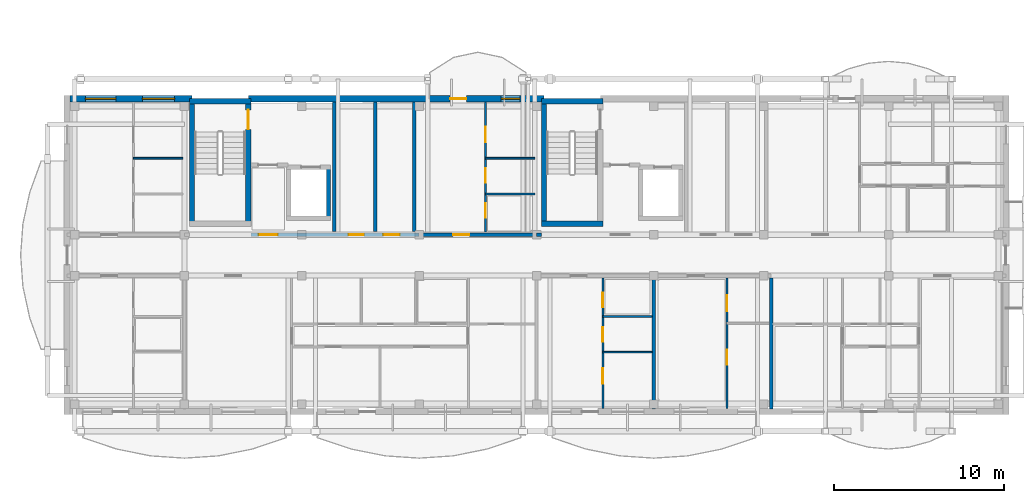
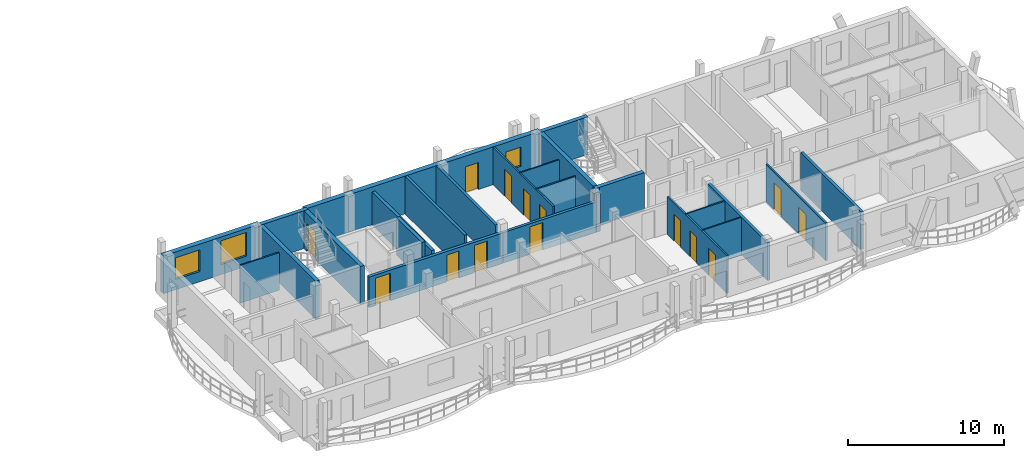
# One storey, part 16 of 42: 25 walls, 14 doors, 3 windows, 17 openings.
"""IFC4 building model written with IfcOpenShell, lengths in metres."""

from ifc_helpers import new_model, si_unit, direction, frame, frame_2d, origin, origin_with_axes, place, context, subcontext, project, spatial, rectangle, extrude, material, layer, layer_set, type_object, element, fill, save


model = new_model("IFC4")

# Units and contexts
model_context = context("Model", 3, precision=1e-05, world=origin(), true_north=direction((0.0, 1.0)))
body_context = subcontext(model_context, "Body", "Model", "MODEL_VIEW")
ifc_project = project(units=[si_unit("LENGTHUNIT", "METRE"), si_unit("AREAUNIT", "SQUARE_METRE"), si_unit("VOLUMEUNIT", "CUBIC_METRE"), si_unit("PLANEANGLEUNIT", "RADIAN"), si_unit("MASSUNIT", "GRAM", prefix="KILO")], contexts=[model_context])

# Site, building, storey
site_placement = place(None, origin())
site = spatial("IfcSite", under=ifc_project, at=site_placement, CompositionType="ELEMENT")
building_placement = place(site_placement, origin())
building = spatial("IfcBuilding", under=site, at=building_placement, Name="Zavelmont Quarter", CompositionType="ELEMENT")
storey_placement = place(building_placement, frame((0.0, 0.0, 24.0)))
storey = spatial("IfcBuildingStorey", under=building, at=storey_placement, Name="L07", CompositionType="ELEMENT", Elevation=24.0)

# Wall, openings, windows
ifc_material_1 = material(Name="Natural Belgian limestone", Category="masonry")
ifc_layer_1 = layer(ifc_material_1, 0.360107421875)
ifc_layer_set_1 = layer_set([ifc_layer_1], Name="Natural Belgian limestone")
wall_type_1 = type_object("IfcWallType", Name="EW02", PredefinedType="STANDARD", material=ifc_layer_set_1)
wall_1_placement = place(storey_placement, frame((0.169921875, 18.39990234375, 0.0), z_axis=(0.0, 0.0, 1.0), x_axis=(1.0, 0.0, 0.0)))
wall_1 = element("IfcWall", 1, at=wall_1_placement, inside=storey, type_object=wall_type_1, Name="L07 exterior limestone wall EW02", PredefinedType="STANDARD", context=body_context, shape_type="SweptSolid", body=[
    extrude(rectangle(XDim=7.18017578125, YDim=0.360107421875, at=frame_2d((3.590087890625, 0.0))), origin(), (0.0, 0.0, 1.0), 2.949951171875),
])
opening_1_placement = place(wall_1_placement, frame((0.89990234375, 0.0, 0.800048828125)))
opening_1 = element("IfcOpeningElement", 2, at=opening_1_placement, cuts=wall_1, Name="Opening WN02", PredefinedType="OPENING", context=body_context, shape_type="SweptSolid", body=[
    extrude(rectangle(XDim=1.800048828125, YDim=1.699951171875, at=frame_2d((0.89990234375, 0.85009765625))), frame((0.0, 0.19189453125, 0.0), z_axis=(0.0, -1.0, 0.0), x_axis=(1.0, 0.0, 0.0)), (0.0, 0.0, 1.0), 0.384033203125),
])
opening_2_placement = place(wall_1_placement, frame((4.25, 0.0, 0.800048828125)))
opening_2 = element("IfcOpeningElement", 3, at=opening_2_placement, cuts=wall_1, Name="Opening WN20", PredefinedType="OPENING", context=body_context, shape_type="SweptSolid", body=[
    extrude(rectangle(XDim=1.89990234375, YDim=1.85009765625, at=frame_2d((0.949951171875, 0.925048828125))), frame((0.0, 0.19189453125, 0.0), z_axis=(0.0, -1.0, 0.0), x_axis=(1.0, 0.0, 0.0)), (0.0, 0.0, 1.0), 0.384033203125),
])
ifc_material_2 = material(Name="Double low-E insulated glazing in thermally broken aluminium frame", Category="aluminium")
window_type_1 = type_object("IfcWindowType", Name="WN02", PartitioningType="SINGLE_PANEL", PredefinedType="WINDOW", material=ifc_material_2)
window_1_placement = place(opening_1_placement, origin_with_axes())
window_1 = element("IfcWindow", 4, at=window_1_placement, inside=storey, type_object=window_type_1, Name="L07 window WN02", OverallHeight=1.699951171875, OverallWidth=1.800048828125, PartitioningType="SINGLE_PANEL", PredefinedType="WINDOW", context=body_context, shape_type="SweptSolid", body=[
    extrude(rectangle(XDim=1.800048828125, YDim=1.699951171875, at=frame_2d((0.89990234375, 0.85009765625))), frame((0.0, 0.030029296875, 0.0), z_axis=(0.0, -1.0, 0.0), x_axis=(1.0, 0.0, 0.0)), (0.0, 0.0, 1.0), 0.06005859375),
])
fill(opening_1, window_1)
window_type_2 = type_object("IfcWindowType", Name="WN20", PartitioningType="SINGLE_PANEL", PredefinedType="WINDOW", material=ifc_material_2)
window_2_placement = place(opening_2_placement, origin_with_axes())
window_2 = element("IfcWindow", 5, at=window_2_placement, inside=storey, type_object=window_type_2, Name="L07 window WN20", OverallHeight=1.85009765625, OverallWidth=1.89990234375, PartitioningType="SINGLE_PANEL", PredefinedType="WINDOW", context=body_context, shape_type="SweptSolid", body=[
    extrude(rectangle(XDim=1.89990234375, YDim=1.85009765625, at=frame_2d((0.949951171875, 0.925048828125))), frame((0.0, 0.030029296875, 0.0), z_axis=(0.0, -1.0, 0.0), x_axis=(1.0, 0.0, 0.0)), (0.0, 0.0, 1.0), 0.06005859375),
])
fill(opening_2, window_2)

# Wall, openings, door, window
wall_2_placement = place(storey_placement, frame((10.64990234375, 18.39990234375, 0.0), z_axis=(0.0, 0.0, 1.0), x_axis=(1.0, 0.0, 0.0)))
wall_2 = element("IfcWall", 6, at=wall_2_placement, inside=storey, type_object=wall_type_1, Name="L07 exterior limestone wall EW02", PredefinedType="STANDARD", context=body_context, shape_type="SweptSolid", body=[
    extrude(rectangle(XDim=17.400146484375, YDim=0.360107421875, at=frame_2d((8.7001953125, 0.0))), origin(), (0.0, 0.0, 1.0), 2.949951171875),
])
opening_3_placement = place(wall_2_placement, frame((11.8701171875, 0.0, 0.0)))
opening_3 = element("IfcOpeningElement", 7, at=opening_3_placement, cuts=wall_2, Name="Opening DR04", PredefinedType="OPENING", context=body_context, shape_type="SweptSolid", body=[
    extrude(rectangle(XDim=0.949951171875, YDim=2.10009765625, at=frame_2d((0.47509765625, 1.050048828125))), frame((0.0, 0.19189453125, 0.0), z_axis=(0.0, -1.0, 0.0), x_axis=(1.0, 0.0, 0.0)), (0.0, 0.0, 1.0), 0.384033203125),
])
opening_4_placement = place(wall_2_placement, frame((14.8701171875, 0.0, 0.719970703125)))
opening_4 = element("IfcOpeningElement", 8, at=opening_4_placement, cuts=wall_2, Name="Opening WN09", PredefinedType="OPENING", context=body_context, shape_type="SweptSolid", body=[
    extrude(rectangle(XDim=1.10009765625, YDim=1.5, at=frame_2d((0.550048828125, 0.75))), frame((0.0, 0.19189453125, 0.0), z_axis=(0.0, -1.0, 0.0), x_axis=(1.0, 0.0, 0.0)), (0.0, 0.0, 1.0), 0.384033203125),
])
ifc_material_3 = material(Name="Thermally broken aluminium and double safety glass", Category="aluminium")
door_type_1 = type_object("IfcDoorType", Name="DR04", OperationType="NOTDEFINED", PredefinedType="DOOR", material=ifc_material_3)
door_1_placement = place(opening_3_placement, frame((0.949951171875, 0.0, 0.0), z_axis=(0.0, 0.0, 1.0), x_axis=(-1.0, 0.0, 0.0)))
door_1 = element("IfcDoor", 9, at=door_1_placement, inside=storey, type_object=door_type_1, Name="Block A L07 glazed balcony door", OperationType="SINGLE_SWING_LEFT", OverallHeight=2.10009765625, OverallWidth=0.949951171875, PredefinedType="DOOR", context=body_context, shape_type="SweptSolid", body=[
    extrude(rectangle(XDim=0.949951171875, YDim=2.10009765625, at=frame_2d((0.47509765625, 1.050048828125))), frame((0.0, 0.02490234375, 0.0), z_axis=(0.0, -1.0, 0.0), x_axis=(1.0, 0.0, 0.0)), (0.0, 0.0, 1.0), 0.050048828125),
])
fill(opening_3, door_1)
window_type_3 = type_object("IfcWindowType", Name="WN09", PartitioningType="SINGLE_PANEL", PredefinedType="WINDOW", material=ifc_material_2)
window_3_placement = place(opening_4_placement, origin_with_axes())
window_3 = element("IfcWindow", 10, at=window_3_placement, inside=storey, type_object=window_type_3, Name="L07 window WN09", OverallHeight=1.5, OverallWidth=1.10009765625, PartitioningType="SINGLE_PANEL", PredefinedType="WINDOW", context=body_context, shape_type="SweptSolid", body=[
    extrude(rectangle(XDim=1.10009765625, YDim=1.5, at=frame_2d((0.550048828125, 0.75))), frame((0.0, 0.030029296875, 0.0), z_axis=(0.0, -1.0, 0.0), x_axis=(1.0, 0.0, 0.0)), (0.0, 0.0, 1.0), 0.06005859375),
])
fill(opening_4, window_3)

# Walls
ifc_material_4 = material(Name="Calcium-silicate blockwork and acoustic plaster", Category="masonry")
ifc_layer_2 = layer(ifc_material_4, 0.199951171875)
ifc_layer_set_2 = layer_set([ifc_layer_2], Name="Calcium-silicate blockwork and acoustic plaster")
wall_type_2 = type_object("IfcWallType", Name="IW01", PredefinedType="PARTITIONING", material=ifc_layer_set_2)
for number, where, z_axis, x_axis, name in (
    (11, (18.125, 10.60009765625, 0.0), (0.0, 0.0, 1.0), (0.0, 1.0, 0.0), "L07 Service riser divider wall IW01"),
    (12, (20.419921875, 10.60009765625, 0.0), (0.0, 0.0, 1.0), (0.0, 1.0, 0.0), "L07 Core service end wall IW01"),
):
    element("IfcWall", number, at=place(storey_placement, frame(where, z_axis=z_axis, x_axis=x_axis)), inside=storey, type_object=wall_type_2, Name=name, PredefinedType="PARTITIONING", context=body_context, shape_type="SweptSolid", body=[
        extrude(rectangle(XDim=7.599853515625, YDim=0.199951171875, at=frame_2d((3.7998046875, 0.0))), origin(), (0.0, 0.0, 1.0), 2.949951171875),
    ])
for number, where, z_axis, x_axis, name in (
    (13, (34.5, 7.85009765625, 0.0), (0.0, 0.0, 1.0), (0.0, -1.0, 0.0), "L07 Inter-dwelling compartment wall IW01"),
    (14, (41.39990234375, 7.85009765625, 0.0), (0.0, 0.0, 1.0), (0.0, -1.0, 0.0), "L07 Inter-dwelling compartment wall IW01"),
):
    element("IfcWall", number, at=place(storey_placement, frame(where, z_axis=z_axis, x_axis=x_axis)), inside=storey, type_object=wall_type_2, Name=name, PredefinedType="PARTITIONING", context=body_context, shape_type="SweptSolid", body=[
        extrude(rectangle(XDim=7.7001953125, YDim=0.199951171875, at=frame_2d((3.85009765625, 0.0))), origin(), (0.0, 0.0, 1.0), 2.949951171875),
    ])

# Wall, opening, door
wall_3_placement = place(storey_placement, frame((20.699951171875, 10.39990234375, 0.0), z_axis=(0.0, 0.0, 1.0), x_axis=(1.0, 0.0, 0.0)))
wall_3 = element("IfcWall", 15, at=wall_3_placement, inside=storey, type_object=wall_type_2, Name="L07 Corridor compartment wall IW01", PredefinedType="PARTITIONING", context=body_context, shape_type="SweptSolid", body=[
    extrude(rectangle(XDim=6.900146484375, YDim=0.199951171875, at=frame_2d((3.4501953125, 0.0))), origin(), (0.0, 0.0, 1.0), 2.389892578125),
])
opening_5_placement = place(wall_3_placement, frame((2.0, 0.0, 0.0)))
opening_5 = element("IfcOpeningElement", 16, at=opening_5_placement, cuts=wall_3, Name="Opening DR02", PredefinedType="OPENING", context=body_context, shape_type="SweptSolid", body=[
    extrude(rectangle(XDim=0.949951171875, YDim=2.14990234375, at=frame_2d((0.47509765625, 1.074951171875))), frame((0.0, 0.11181640625, 0.0), z_axis=(0.0, -1.0, 0.0), x_axis=(1.0, 0.0, 0.0)), (0.0, 0.0, 1.0), 0.223876953125),
])
ifc_material_5 = material(Name="Solid-core oak fire leaf in steel frame", Category="steel")
door_type_2 = type_object("IfcDoorType", Name="DR02", OperationType="NOTDEFINED", PredefinedType="DOOR", material=ifc_material_5)
door_2_placement = place(opening_5_placement, origin_with_axes())
door_2 = element("IfcDoor", 17, at=door_2_placement, inside=storey, type_object=door_type_2, Name="L07 door DR02", OperationType="SINGLE_SWING_RIGHT", OverallHeight=2.14990234375, OverallWidth=0.949951171875, PredefinedType="DOOR", context=body_context, shape_type="SweptSolid", body=[
    extrude(rectangle(XDim=0.949951171875, YDim=2.14990234375, at=frame_2d((0.47509765625, 1.074951171875))), frame((0.0, 0.02490234375, 0.0), z_axis=(0.0, -1.0, 0.0), x_axis=(1.0, 0.0, 0.0)), (0.0, 0.0, 1.0), 0.050048828125),
])
fill(opening_5, door_2)

# Wall
ifc_material_6 = material(Name="Reinforced masonry fire compartment wall", Category="masonry")
ifc_layer_3 = layer(ifc_material_6, 0.22509765625)
ifc_layer_set_3 = layer_set([ifc_layer_3], Name="Reinforced masonry fire compartment wall")
wall_type_3 = type_object("IfcWallType", Name="IW02", PredefinedType="PARTITIONING", material=ifc_layer_set_3)
wall_4_placement = place(storey_placement, frame((15.7099609375, 10.60009765625, 0.0), z_axis=(0.0, 0.0, 1.0), x_axis=(0.0, 1.0, 0.0)))
element("IfcWall", 18, at=wall_4_placement, inside=storey, type_object=wall_type_3, Name="L07 Firefighting lobby enclosure wall IW02", PredefinedType="PARTITIONING", context=body_context, shape_type="SweptSolid", body=[
    extrude(rectangle(XDim=7.599853515625, YDim=0.22509765625, at=frame_2d((3.7998046875, 0.0))), origin(), (0.0, 0.0, 1.0), 2.590087890625),
])

# Wall, openings, doors
wall_5_placement = place(storey_placement, frame((10.800048828125, 10.39990234375, 0.0), z_axis=(0.0, 0.0, 1.0), x_axis=(1.0, 0.0, 0.0)))
wall_5 = element("IfcWall", 19, at=wall_5_placement, inside=storey, type_object=wall_type_3, Name="L07 Core corridor fire wall IW02", PredefinedType="PARTITIONING", context=body_context, shape_type="SweptSolid", body=[
    extrude(rectangle(XDim=9.89990234375, YDim=0.22509765625, at=frame_2d((4.949951171875, 0.0))), origin(), (0.0, 0.0, 1.0), 2.389892578125),
])
opening_6_placement = place(wall_5_placement, frame((0.47509765625, 0.0, 0.0)))
opening_6 = element("IfcOpeningElement", 20, at=opening_6_placement, cuts=wall_5, Name="Opening DR10", PredefinedType="OPENING", context=body_context, shape_type="SweptSolid", body=[
    extrude(rectangle(XDim=1.10009765625, YDim=2.14990234375, at=frame_2d((0.550048828125, 1.074951171875))), frame((0.0, 0.12451171875, 0.0), z_axis=(0.0, -1.0, 0.0), x_axis=(1.0, 0.0, 0.0)), (0.0, 0.0, 1.0), 0.2490234375),
])
opening_7_placement = place(wall_5_placement, frame((5.75, 0.0, 0.0)))
opening_7 = element("IfcOpeningElement", 21, at=opening_7_placement, cuts=wall_5, Name="Opening DR11", PredefinedType="OPENING", context=body_context, shape_type="SweptSolid", body=[
    extrude(rectangle(XDim=0.89990234375, YDim=2.10009765625, at=frame_2d((0.449951171875, 1.050048828125))), frame((0.0, 0.12451171875, 0.0), z_axis=(0.0, -1.0, 0.0), x_axis=(1.0, 0.0, 0.0)), (0.0, 0.0, 1.0), 0.2490234375),
])
opening_8_placement = place(wall_5_placement, frame((7.800048828125, 0.0, 0.0)))
opening_8 = element("IfcOpeningElement", 22, at=opening_8_placement, cuts=wall_5, Name="Opening DR02", PredefinedType="OPENING", context=body_context, shape_type="SweptSolid", body=[
    extrude(rectangle(XDim=0.949951171875, YDim=2.14990234375, at=frame_2d((0.47509765625, 1.074951171875))), frame((0.0, 0.12451171875, 0.0), z_axis=(0.0, -1.0, 0.0), x_axis=(1.0, 0.0, 0.0)), (0.0, 0.0, 1.0), 0.2490234375),
])
door_3_placement = place(opening_8_placement, frame((0.949951171875, 0.0, 0.0), z_axis=(0.0, 0.0, 1.0), x_axis=(-1.0, 0.0, 0.0)))
door_3 = element("IfcDoor", 23, at=door_3_placement, inside=storey, type_object=door_type_2, Name="Auxiliary store corridor door", OperationType="SINGLE_SWING_RIGHT", OverallHeight=2.14990234375, OverallWidth=0.949951171875, PredefinedType="DOOR", context=body_context, shape_type="SweptSolid", body=[
    extrude(rectangle(XDim=0.949951171875, YDim=2.14990234375, at=frame_2d((0.47509765625, 1.074951171875))), frame((0.0, 0.02490234375, 0.0), z_axis=(0.0, -1.0, 0.0), x_axis=(1.0, 0.0, 0.0)), (0.0, 0.0, 1.0), 0.050048828125),
])
fill(opening_8, door_3)
ifc_material_7 = material(Name="Painted steel lobby fire door", Category="steel")
door_type_3 = type_object("IfcDoorType", Name="DR10", OperationType="NOTDEFINED", PredefinedType="DOOR", material=ifc_material_7)
door_4_placement = place(opening_6_placement, origin_with_axes())
door_4 = element("IfcDoor", 24, at=door_4_placement, inside=storey, type_object=door_type_3, Name="Core vestibule fire door", OperationType="SINGLE_SWING_RIGHT", OverallHeight=2.14990234375, OverallWidth=1.10009765625, PredefinedType="DOOR", context=body_context, shape_type="SweptSolid", body=[
    extrude(rectangle(XDim=1.10009765625, YDim=2.14990234375, at=frame_2d((0.550048828125, 1.074951171875))), frame((0.0, 0.02490234375, 0.0), z_axis=(0.0, -1.0, 0.0), x_axis=(1.0, 0.0, 0.0)), (0.0, 0.0, 1.0), 0.050048828125),
])
fill(opening_6, door_4)
ifc_material_8 = material(Name="Painted steel service-riser fire door", Category="steel")
door_type_4 = type_object("IfcDoorType", Name="DR11", OperationType="NOTDEFINED", PredefinedType="DOOR", material=ifc_material_8)
door_5_placement = place(opening_7_placement, frame((0.89990234375, 0.0, 0.0), z_axis=(0.0, 0.0, 1.0), x_axis=(-1.0, 0.0, 0.0)))
door_5 = element("IfcDoor", 25, at=door_5_placement, inside=storey, type_object=door_type_4, Name="Service riser fire door", OperationType="SINGLE_SWING_LEFT", OverallHeight=2.10009765625, OverallWidth=0.89990234375, PredefinedType="DOOR", context=body_context, shape_type="SweptSolid", body=[
    extrude(rectangle(XDim=0.89990234375, YDim=2.10009765625, at=frame_2d((0.449951171875, 1.050048828125))), frame((0.0, 0.02490234375, 0.0), z_axis=(0.0, -1.0, 0.0), x_axis=(1.0, 0.0, 0.0)), (0.0, 0.0, 1.0), 0.050048828125),
])
fill(opening_7, door_5)

# Wall
wall_6_placement = place(storey_placement, frame((27.60009765625, 10.39990234375, 0.0), z_axis=(0.0, 0.0, 1.0), x_axis=(1.0, 0.0, 0.0)))
element("IfcWall", 26, at=wall_6_placement, inside=storey, type_object=wall_type_3, Name="L07 Core corridor wall IW02", PredefinedType="PARTITIONING", context=body_context, shape_type="SweptSolid", body=[
    extrude(rectangle(XDim=0.2998046875, YDim=0.22509765625, at=frame_2d((0.14990234375, 0.0))), origin(), (0.0, 0.0, 1.0), 2.949951171875),
])

# Wall, openings, doors
ifc_material_9 = material(Name="Double gypsum board on acoustic steel stud", Category="steel")
ifc_layer_4 = layer(ifc_material_9, 0.125)
ifc_layer_set_4 = layer_set([ifc_layer_4], Name="Double gypsum board on acoustic steel stud")
wall_type_4 = type_object("IfcWallType", Name="IW03", PredefinedType="PARTITIONING", material=ifc_layer_set_4)
wall_7_placement = place(storey_placement, frame((31.5, 7.85009765625, 0.0), z_axis=(0.0, 0.0, 1.0), x_axis=(0.0, -1.0, 0.0)))
wall_7 = element("IfcWall", 27, at=wall_7_placement, inside=storey, type_object=wall_type_4, Name="L07 Partition IW03", PredefinedType="PARTITIONING", context=body_context, shape_type="SweptSolid", body=[
    extrude(rectangle(XDim=7.650146484375, YDim=0.125, at=frame_2d((3.8251953125, 0.0))), origin(), (0.0, 0.0, 1.0), 2.949951171875),
])
opening_9_placement = place(wall_7_placement, frame((0.85009765625, 0.0, 0.0)))
opening_9 = element("IfcOpeningElement", 28, at=opening_9_placement, cuts=wall_7, Name="Opening DR16", PredefinedType="OPENING", context=body_context, shape_type="SweptSolid", body=[
    extrude(rectangle(XDim=0.85009765625, YDim=2.10009765625, at=frame_2d((0.425048828125, 1.050048828125))), frame((0.0, 0.074462890625, 0.0), z_axis=(0.0, -1.0, 0.0), x_axis=(1.0, 0.0, 0.0)), (0.0, 0.0, 1.0), 0.14892578125),
])
opening_10_placement = place(wall_7_placement, frame((2.89990234375, 0.0, 0.0)))
opening_10 = element("IfcOpeningElement", 29, at=opening_10_placement, cuts=wall_7, Name="Opening DR06", PredefinedType="OPENING", context=body_context, shape_type="SweptSolid", body=[
    extrude(rectangle(XDim=0.85009765625, YDim=2.050048828125, at=frame_2d((0.425048828125, 1.02490234375))), frame((0.0, 0.074462890625, 0.0), z_axis=(0.0, -1.0, 0.0), x_axis=(1.0, 0.0, 0.0)), (0.0, 0.0, 1.0), 0.14892578125),
])
opening_11_placement = place(wall_7_placement, frame((5.300048828125, 0.0, 0.0)))
opening_11 = element("IfcOpeningElement", 30, at=opening_11_placement, cuts=wall_7, Name="Opening DR05", PredefinedType="OPENING", context=body_context, shape_type="SweptSolid", body=[
    extrude(rectangle(XDim=0.89990234375, YDim=2.10009765625, at=frame_2d((0.449951171875, 1.050048828125))), frame((0.0, 0.074462890625, 0.0), z_axis=(0.0, -1.0, 0.0), x_axis=(1.0, 0.0, 0.0)), (0.0, 0.0, 1.0), 0.14892578125),
])
ifc_material_10 = material(Name="Engineered oak flush interior door")
door_type_5 = type_object("IfcDoorType", Name="DR05", OperationType="NOTDEFINED", PredefinedType="DOOR", material=ifc_material_10)
door_6_placement = place(opening_11_placement, frame((0.89990234375, 0.0, 0.0), z_axis=(0.0, 0.0, 1.0), x_axis=(-1.0, 0.0, 0.0)))
door_6 = element("IfcDoor", 31, at=door_6_placement, inside=storey, type_object=door_type_5, Name="L07 door DR05", OperationType="SINGLE_SWING_RIGHT", OverallHeight=2.10009765625, OverallWidth=0.89990234375, PredefinedType="DOOR", context=body_context, shape_type="SweptSolid", body=[
    extrude(rectangle(XDim=0.89990234375, YDim=2.10009765625, at=frame_2d((0.449951171875, 1.050048828125))), frame((0.0, 0.02490234375, 0.0), z_axis=(0.0, -1.0, 0.0), x_axis=(1.0, 0.0, 0.0)), (0.0, 0.0, 1.0), 0.050048828125),
])
fill(opening_11, door_6)
ifc_material_11 = material(Name="Moisture-resistant painted wet-room door")
door_type_6 = type_object("IfcDoorType", Name="DR06", OperationType="NOTDEFINED", PredefinedType="DOOR", material=ifc_material_11)
door_7_placement = place(opening_10_placement, origin_with_axes())
door_7 = element("IfcDoor", 32, at=door_7_placement, inside=storey, type_object=door_type_6, Name="L07 door DR06", OperationType="SINGLE_SWING_LEFT", OverallHeight=2.050048828125, OverallWidth=0.85009765625, PredefinedType="DOOR", context=body_context, shape_type="SweptSolid", body=[
    extrude(rectangle(XDim=0.85009765625, YDim=2.050048828125, at=frame_2d((0.425048828125, 1.02490234375))), frame((0.0, 0.02490234375, 0.0), z_axis=(0.0, -1.0, 0.0), x_axis=(1.0, 0.0, 0.0)), (0.0, 0.0, 1.0), 0.050048828125),
])
fill(opening_10, door_7)
door_type_7 = type_object("IfcDoorType", Name="DR16", OperationType="NOTDEFINED", PredefinedType="DOOR", material=ifc_material_10)
door_8_placement = place(opening_9_placement, frame((0.85009765625, 0.0, 0.0), z_axis=(0.0, 0.0, 1.0), x_axis=(-1.0, 0.0, 0.0)))
door_8 = element("IfcDoor", 33, at=door_8_placement, inside=storey, type_object=door_type_7, Name="L07 door DR16", OperationType="SINGLE_SWING_RIGHT", OverallHeight=2.10009765625, OverallWidth=0.85009765625, PredefinedType="DOOR", context=body_context, shape_type="SweptSolid", body=[
    extrude(rectangle(XDim=0.85009765625, YDim=2.10009765625, at=frame_2d((0.425048828125, 1.050048828125))), frame((0.0, 0.02490234375, 0.0), z_axis=(0.0, -1.0, 0.0), x_axis=(1.0, 0.0, 0.0)), (0.0, 0.0, 1.0), 0.050048828125),
])
fill(opening_9, door_8)

wall_8_placement = place(storey_placement, frame((38.800048828125, 7.85009765625, 0.0), z_axis=(0.0, 0.0, 1.0), x_axis=(0.0, -1.0, 0.0)))
wall_8 = element("IfcWall", 34, at=wall_8_placement, inside=storey, type_object=wall_type_4, Name="L07 Partition IW03", PredefinedType="PARTITIONING", context=body_context, shape_type="SweptSolid", body=[
    extrude(rectangle(XDim=7.650146484375, YDim=0.125, at=frame_2d((3.8251953125, 0.0))), origin(), (0.0, 0.0, 1.0), 2.949951171875),
])
opening_12_placement = place(wall_8_placement, frame((1.0, 0.0, 0.0)))
opening_12 = element("IfcOpeningElement", 35, at=opening_12_placement, cuts=wall_8, Name="Opening DR17", PredefinedType="OPENING", context=body_context, shape_type="SweptSolid", body=[
    extrude(rectangle(XDim=0.949951171875, YDim=2.10009765625, at=frame_2d((0.47509765625, 1.050048828125))), frame((0.0, 0.074462890625, 0.0), z_axis=(0.0, -1.0, 0.0), x_axis=(1.0, 0.0, 0.0)), (0.0, 0.0, 1.0), 0.14892578125),
])
opening_13_placement = place(wall_8_placement, frame((4.199951171875, 0.0, 0.0)))
opening_13 = element("IfcOpeningElement", 36, at=opening_13_placement, cuts=wall_8, Name="Opening DR05", PredefinedType="OPENING", context=body_context, shape_type="SweptSolid", body=[
    extrude(rectangle(XDim=0.89990234375, YDim=2.10009765625, at=frame_2d((0.449951171875, 1.050048828125))), frame((0.0, 0.074462890625, 0.0), z_axis=(0.0, -1.0, 0.0), x_axis=(1.0, 0.0, 0.0)), (0.0, 0.0, 1.0), 0.14892578125),
])
door_9_placement = place(opening_13_placement, origin_with_axes())
door_9 = element("IfcDoor", 37, at=door_9_placement, inside=storey, type_object=door_type_5, Name="L07 door DR05", OperationType="SINGLE_SWING_RIGHT", OverallHeight=2.10009765625, OverallWidth=0.89990234375, PredefinedType="DOOR", context=body_context, shape_type="SweptSolid", body=[
    extrude(rectangle(XDim=0.89990234375, YDim=2.10009765625, at=frame_2d((0.449951171875, 1.050048828125))), frame((0.0, 0.02490234375, 0.0), z_axis=(0.0, -1.0, 0.0), x_axis=(1.0, 0.0, 0.0)), (0.0, 0.0, 1.0), 0.050048828125),
])
fill(opening_13, door_9)
ifc_material_12 = material(Name="Accessible washroom flush door")
door_type_8 = type_object("IfcDoorType", Name="DR17", OperationType="NOTDEFINED", PredefinedType="DOOR", material=ifc_material_12)
door_10_placement = place(opening_12_placement, frame((0.949951171875, 0.0, 0.0), z_axis=(0.0, 0.0, 1.0), x_axis=(-1.0, 0.0, 0.0)))
door_10 = element("IfcDoor", 38, at=door_10_placement, inside=storey, type_object=door_type_8, Name="L07 door DR17", OperationType="SINGLE_SWING_LEFT", OverallHeight=2.10009765625, OverallWidth=0.949951171875, PredefinedType="DOOR", context=body_context, shape_type="SweptSolid", body=[
    extrude(rectangle(XDim=0.949951171875, YDim=2.10009765625, at=frame_2d((0.47509765625, 1.050048828125))), frame((0.0, 0.02490234375, 0.0), z_axis=(0.0, -1.0, 0.0), x_axis=(1.0, 0.0, 0.0)), (0.0, 0.0, 1.0), 0.050048828125),
])
fill(opening_12, door_10)

wall_9_placement = place(storey_placement, frame((24.60009765625, 10.550048828125, 0.0), z_axis=(0.0, 0.0, 1.0), x_axis=(0.0, 1.0, 0.0)))
wall_9 = element("IfcWall", 39, at=wall_9_placement, inside=storey, type_object=wall_type_4, Name="L07 Partition IW03", PredefinedType="PARTITIONING", context=body_context, shape_type="SweptSolid", body=[
    extrude(rectangle(XDim=7.64990234375, YDim=0.125, at=frame_2d((3.824951171875, 0.0))), origin(), (0.0, 0.0, 1.0), 2.949951171875),
])
opening_14_placement = place(wall_9_placement, frame((0.85009765625, 0.0, 0.0)))
opening_14 = element("IfcOpeningElement", 40, at=opening_14_placement, cuts=wall_9, Name="Opening DR16", PredefinedType="OPENING", context=body_context, shape_type="SweptSolid", body=[
    extrude(rectangle(XDim=0.85009765625, YDim=2.10009765625, at=frame_2d((0.425048828125, 1.050048828125))), frame((0.0, 0.074462890625, 0.0), z_axis=(0.0, -1.0, 0.0), x_axis=(1.0, 0.0, 0.0)), (0.0, 0.0, 1.0), 0.14892578125),
])
opening_15_placement = place(wall_9_placement, frame((2.89990234375, 0.0, 0.0)))
opening_15 = element("IfcOpeningElement", 41, at=opening_15_placement, cuts=wall_9, Name="Opening DR06", PredefinedType="OPENING", context=body_context, shape_type="SweptSolid", body=[
    extrude(rectangle(XDim=0.85009765625, YDim=2.050048828125, at=frame_2d((0.425048828125, 1.02490234375))), frame((0.0, 0.074462890625, 0.0), z_axis=(0.0, -1.0, 0.0), x_axis=(1.0, 0.0, 0.0)), (0.0, 0.0, 1.0), 0.14892578125),
])
opening_16_placement = place(wall_9_placement, frame((5.300048828125, 0.0, 0.0)))
opening_16 = element("IfcOpeningElement", 42, at=opening_16_placement, cuts=wall_9, Name="Opening DR05", PredefinedType="OPENING", context=body_context, shape_type="SweptSolid", body=[
    extrude(rectangle(XDim=0.89990234375, YDim=2.10009765625, at=frame_2d((0.449951171875, 1.050048828125))), frame((0.0, 0.074462890625, 0.0), z_axis=(0.0, -1.0, 0.0), x_axis=(1.0, 0.0, 0.0)), (0.0, 0.0, 1.0), 0.14892578125),
])
door_11_placement = place(opening_16_placement, frame((0.89990234375, 0.0, 0.0), z_axis=(0.0, 0.0, 1.0), x_axis=(-1.0, 0.0, 0.0)))
door_11 = element("IfcDoor", 43, at=door_11_placement, inside=storey, type_object=door_type_5, Name="L07 door DR05", OperationType="SINGLE_SWING_RIGHT", OverallHeight=2.10009765625, OverallWidth=0.89990234375, PredefinedType="DOOR", context=body_context, shape_type="SweptSolid", body=[
    extrude(rectangle(XDim=0.89990234375, YDim=2.10009765625, at=frame_2d((0.449951171875, 1.050048828125))), frame((0.0, 0.02490234375, 0.0), z_axis=(0.0, -1.0, 0.0), x_axis=(1.0, 0.0, 0.0)), (0.0, 0.0, 1.0), 0.050048828125),
])
fill(opening_16, door_11)
door_12_placement = place(opening_15_placement, origin_with_axes())
door_12 = element("IfcDoor", 44, at=door_12_placement, inside=storey, type_object=door_type_6, Name="L07 door DR06", OperationType="SINGLE_SWING_LEFT", OverallHeight=2.050048828125, OverallWidth=0.85009765625, PredefinedType="DOOR", context=body_context, shape_type="SweptSolid", body=[
    extrude(rectangle(XDim=0.85009765625, YDim=2.050048828125, at=frame_2d((0.425048828125, 1.02490234375))), frame((0.0, 0.02490234375, 0.0), z_axis=(0.0, -1.0, 0.0), x_axis=(1.0, 0.0, 0.0)), (0.0, 0.0, 1.0), 0.050048828125),
])
fill(opening_15, door_12)
door_13_placement = place(opening_14_placement, frame((0.85009765625, 0.0, 0.0), z_axis=(0.0, 0.0, 1.0), x_axis=(-1.0, 0.0, 0.0)))
door_13 = element("IfcDoor", 45, at=door_13_placement, inside=storey, type_object=door_type_7, Name="L07 door DR16", OperationType="SINGLE_SWING_RIGHT", OverallHeight=2.10009765625, OverallWidth=0.85009765625, PredefinedType="DOOR", context=body_context, shape_type="SweptSolid", body=[
    extrude(rectangle(XDim=0.85009765625, YDim=2.10009765625, at=frame_2d((0.425048828125, 1.050048828125))), frame((0.0, 0.02490234375, 0.0), z_axis=(0.0, -1.0, 0.0), x_axis=(1.0, 0.0, 0.0)), (0.0, 0.0, 1.0), 0.050048828125),
])
fill(opening_14, door_13)

# Walls
ifc_material_13 = material(Name="Moisture-resistant gypsum board on steel stud", Category="steel")
ifc_layer_5 = layer(ifc_material_13, 0.10009765625)
ifc_layer_set_5 = layer_set([ifc_layer_5], Name="Moisture-resistant gypsum board on steel stud")
wall_type_5 = type_object("IfcWallType", Name="IW04", PredefinedType="PARTITIONING", material=ifc_layer_set_5)
for number, where, z_axis, x_axis, name in (
    (46, (31.5, 5.60009765625, 0.0), (0.0, 0.0, 1.0), (1.0, 0.0, 0.0), "L07 Partition IW04"),
    (47, (31.5, 3.5, 0.0), (0.0, 0.0, 1.0), (1.0, 0.0, 0.0), "L07 Partition IW04"),
):
    element("IfcWall", number, at=place(storey_placement, frame(where, z_axis=z_axis, x_axis=x_axis)), inside=storey, type_object=wall_type_5, Name=name, PredefinedType="PARTITIONING", context=body_context, shape_type="SweptSolid", body=[
        extrude(rectangle(XDim=2.89990234375, YDim=0.10009765625, at=frame_2d((1.449951171875, 0.0))), origin(), (0.0, 0.0, 1.0), 2.949951171875),
    ])
wall_10_placement = place(storey_placement, frame((3.89990234375, 14.89990234375, 0.0), z_axis=(0.0, 0.0, 1.0), x_axis=(1.0, 0.0, 0.0)))
element("IfcWall", 48, at=wall_10_placement, inside=storey, type_object=wall_type_5, Name="L07 Partition IW04", PredefinedType="PARTITIONING", context=body_context, shape_type="SweptSolid", body=[
    extrude(rectangle(XDim=2.900146484375, YDim=0.10009765625, at=frame_2d((1.4501953125, 0.0))), origin(), (0.0, 0.0, 1.0), 2.949951171875),
])
for number, where, z_axis, x_axis, name in (
    (49, (24.60009765625, 12.800048828125, 0.0), (0.0, 0.0, 1.0), (1.0, 0.0, 0.0), "L07 Partition IW04"),
    (50, (24.60009765625, 14.89990234375, 0.0), (0.0, 0.0, 1.0), (1.0, 0.0, 0.0), "L07 Partition IW04"),
):
    element("IfcWall", number, at=place(storey_placement, frame(where, z_axis=z_axis, x_axis=x_axis)), inside=storey, type_object=wall_type_5, Name=name, PredefinedType="PARTITIONING", context=body_context, shape_type="SweptSolid", body=[
        extrude(rectangle(XDim=2.89990234375, YDim=0.10009765625, at=frame_2d((1.449951171875, 0.0))), origin(), (0.0, 0.0, 1.0), 2.949951171875),
    ])
ifc_material_14 = material(Name="Concrete C40/50", Category="concrete")
ifc_layer_6 = layer(ifc_material_14, 0.300048828125)
ifc_layer_set_6 = layer_set([ifc_layer_6], Name="Concrete C40/50")
wall_type_6 = type_object("IfcWallType", Name="SW01", PredefinedType="SHEAR", material=ifc_layer_set_6)
wall_11_placement = place(storey_placement, frame((7.35009765625, 10.89990234375, 0.0), z_axis=(0.0, 0.0, 1.0), x_axis=(0.0, 1.0, 0.0)))
element("IfcWall", 51, at=wall_11_placement, inside=storey, type_object=wall_type_6, Name="L07 ST01 west shear wall SW01", PredefinedType="SHEAR", context=body_context, shape_type="SweptSolid", body=[
    extrude(rectangle(XDim=7.5, YDim=0.300048828125, at=frame_2d((3.75, 0.0))), origin(), (0.0, 0.0, 1.0), 2.949951171875),
])

# Wall, opening, door
wall_12_placement = place(storey_placement, frame((10.64990234375, 10.89990234375, 0.0), z_axis=(0.0, 0.0, 1.0), x_axis=(0.0, 1.0, 0.0)))
wall_12 = element("IfcWall", 52, at=wall_12_placement, inside=storey, type_object=wall_type_6, Name="L07 ST01 lobby shear wall SW01", PredefinedType="SHEAR", context=body_context, shape_type="SweptSolid", body=[
    extrude(rectangle(XDim=7.5, YDim=0.300048828125, at=frame_2d((3.75, 0.0))), origin(), (0.0, 0.0, 1.0), 2.949951171875),
])
opening_17_placement = place(wall_12_placement, frame((5.699951171875, 0.0, 0.0)))
opening_17 = element("IfcOpeningElement", 53, at=opening_17_placement, cuts=wall_12, Name="Opening DR09", PredefinedType="OPENING", context=body_context, shape_type="SweptSolid", body=[
    extrude(rectangle(XDim=1.14990234375, YDim=2.14990234375, at=frame_2d((0.574951171875, 1.074951171875))), frame((0.0, 0.162109375, 0.0), z_axis=(0.0, -1.0, 0.0), x_axis=(1.0, 0.0, 0.0)), (0.0, 0.0, 1.0), 0.323974609375),
])
ifc_material_15 = material(Name="Painted steel stair-core fire door", Category="steel")
door_type_9 = type_object("IfcDoorType", Name="DR09", OperationType="NOTDEFINED", PredefinedType="DOOR", material=ifc_material_15)
door_14_placement = place(opening_17_placement, origin_with_axes())
door_14 = element("IfcDoor", 54, at=door_14_placement, inside=storey, type_object=door_type_9, Name="ST01 protected stair door", OperationType="SINGLE_SWING_LEFT", OverallHeight=2.14990234375, OverallWidth=1.14990234375, PredefinedType="DOOR", context=body_context, shape_type="SweptSolid", body=[
    extrude(rectangle(XDim=1.14990234375, YDim=2.14990234375, at=frame_2d((0.574951171875, 1.074951171875))), frame((0.0, 0.02490234375, 0.0), z_axis=(0.0, -1.0, 0.0), x_axis=(1.0, 0.0, 0.0)), (0.0, 0.0, 1.0), 0.050048828125),
])
fill(opening_17, door_14)

# Walls
wall_13_placement = place(storey_placement, frame((27.89990234375, 11.050048828125, 0.0), z_axis=(0.0, 0.0, 1.0), x_axis=(1.0, 0.0, 0.0)))
element("IfcWall", 55, at=wall_13_placement, inside=storey, type_object=wall_type_6, Name="L07 ST02 corridor shear wall SW01", PredefinedType="SHEAR", context=body_context, shape_type="SweptSolid", body=[
    extrude(rectangle(XDim=3.60009765625, YDim=0.300048828125, at=frame_2d((1.800048828125, 0.0))), origin(), (0.0, 0.0, 1.0), 2.949951171875),
])
wall_14_placement = place(storey_placement, frame((28.050048828125, 10.89990234375, 0.0), z_axis=(0.0, 0.0, 1.0), x_axis=(0.0, 1.0, 0.0)))
element("IfcWall", 56, at=wall_14_placement, inside=storey, type_object=wall_type_6, Name="L07 ST02 west shear wall SW01", PredefinedType="SHEAR", context=body_context, shape_type="SweptSolid", body=[
    extrude(rectangle(XDim=7.5, YDim=0.300048828125, at=frame_2d((3.75, 0.0))), origin(), (0.0, 0.0, 1.0), 2.949951171875),
])
ifc_layer_7 = layer(ifc_material_14, 0.25)
ifc_layer_set_7 = layer_set([ifc_layer_7], Name="Concrete C40/50")
wall_type_7 = type_object("IfcWallType", Name="SW02", PredefinedType="SHEAR", material=ifc_layer_set_7)
wall_15_placement = place(storey_placement, frame((15.375, 11.25, 0.0), z_axis=(0.0, 0.0, 1.0), x_axis=(0.0, 1.0, 0.0)))
element("IfcWall", 57, at=wall_15_placement, inside=storey, type_object=wall_type_7, Name="L07 Lift FL01 east shaft wall SW02", PredefinedType="SHEAR", context=body_context, shape_type="SweptSolid", body=[
    extrude(rectangle(XDim=3.25, YDim=0.25, at=frame_2d((1.625, 0.0))), origin(), (0.0, 0.0, 1.0), 2.949951171875),
])
ifc_layer_8 = layer(ifc_material_14, 0.300048828125)
ifc_layer_set_8 = layer_set([ifc_layer_8], Name="Concrete C40/50")
wall_type_8 = type_object("IfcWallType", Name="SW03", PredefinedType="SHEAR", material=ifc_layer_set_8)
for number, where, z_axis, x_axis, name in (
    (58, (7.199951171875, 18.25, 0.0), (0.0, 0.0, 1.0), (1.0, 0.0, 0.0), "L07 ST01 outer shear wall SW03"),
    (59, (27.89990234375, 18.25, 0.0), (0.0, 0.0, 1.0), (1.0, 0.0, 0.0), "L07 ST02 outer shear wall SW03"),
):
    element("IfcWall", number, at=place(storey_placement, frame(where, z_axis=z_axis, x_axis=x_axis)), inside=storey, type_object=wall_type_8, Name=name, PredefinedType="SHEAR", context=body_context, shape_type="SweptSolid", body=[
        extrude(rectangle(XDim=3.60009765625, YDim=0.300048828125, at=frame_2d((1.800048828125, 0.0))), origin(), (0.0, 0.0, 1.0), 2.949951171875),
    ])

save(model, "model.ifc")
